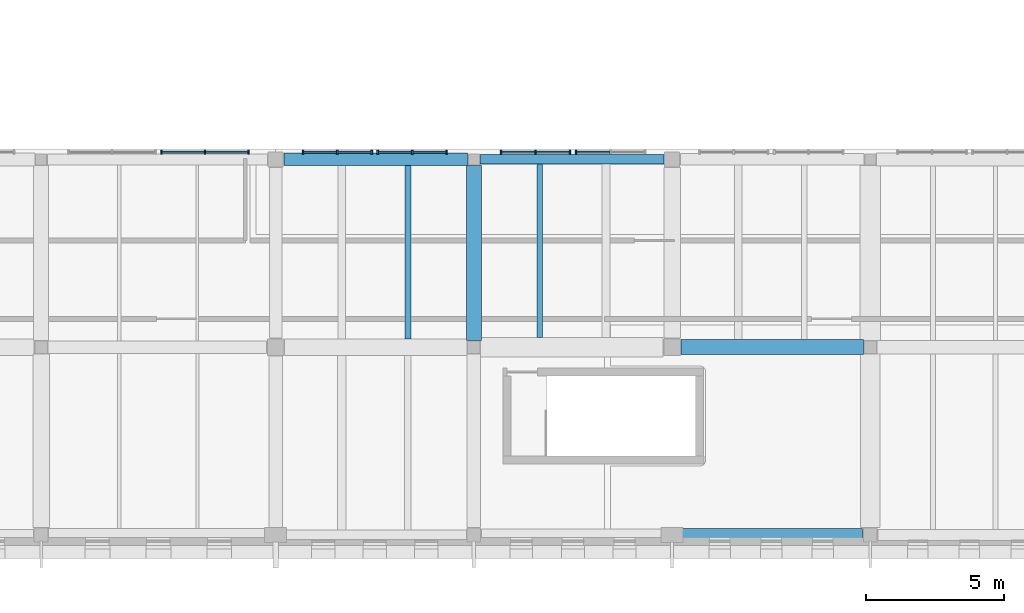
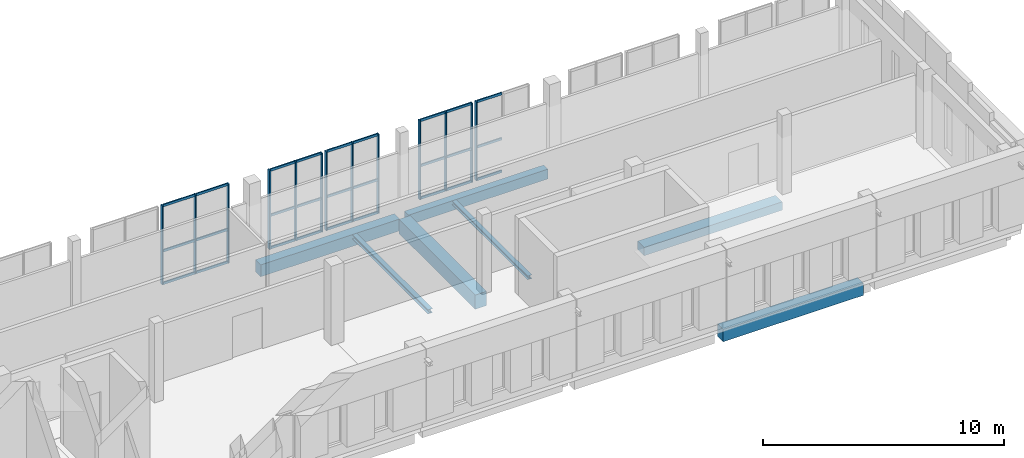
# One storey, part 21 of 56: 40 members, 7 beams, 5 elements without a shape of their own.
"""IFC4 building model written with IfcOpenShell, lengths in metres."""

import ifcopenshell
import ifcopenshell.guid

model = None  # the IFC model being written
_history = None  # IfcOwnerHistory: only IFC2X3 demands one
_inside = {}  # id of a spatial element -> (the spatial element, [elements in it])
_under = {}  # id of a project, library or spatial element -> (it, [spatial elements below it])
_declared = {}  # id of a project -> (the project, [libraries it declares])
_typed = {}  # id of a type object -> (the type object, [elements of that type])
_made_of = {}  # id of a material, layer set ... -> (it, [elements and type objects made of it])


def new_model(schema):
    """Start an empty IFC model of exactly this schema.

    Asked for "IFC4X3", IfcOpenShell would pick the latest addendum, in which some entities
    have other attributes; the version numbers below select the first issue.
    IFC2X3 requires an IfcOwnerHistory on every rooted entity: one is made here for all.
    """
    global model, _history
    if schema == "IFC4X3":
        model = ifcopenshell.file(schema_version=(4, 3, 0, 0))
    else:
        model = ifcopenshell.file(schema=schema)
    _inside.clear()
    _under.clear()
    _declared.clear()
    _typed.clear()
    _made_of.clear()
    _history = None
    if model.schema == "IFC2X3":
        org = make("IfcOrganization", Name="unknown")
        user = make(
            "IfcPersonAndOrganization",
            ThePerson=make("IfcPerson", FamilyName="unknown"),
            TheOrganization=org,
        )
        app = make(
            "IfcApplication",
            ApplicationDeveloper=org,
            Version="unknown",
            ApplicationFullName="unknown",
            ApplicationIdentifier="unknown",
        )
        _history = make(
            "IfcOwnerHistory",
            OwningUser=user,
            OwningApplication=app,
            ChangeAction="ADDED",
            CreationDate=0,
        )
    return model


def make(cls, **values):
    """One entity of the class cls with the attributes given. An attribute that is None is left unset."""
    return model.create_entity(
        cls, **{name: value for name, value in values.items() if value is not None}
    )


def rooted(cls, **values):
    """An entity with a GlobalId (a new one), such as an element, a storey or a relation."""
    return make(cls, GlobalId=ifcopenshell.guid.new(), OwnerHistory=_history, **values)


def si_unit(unit_type, name, prefix=None):
    """IfcSIUnit, for example si_unit("LENGTHUNIT", "METRE", prefix="MILLI")."""
    return make("IfcSIUnit", UnitType=unit_type, Prefix=prefix, Name=name)


def assignment(units):
    """IfcUnitAssignment: the units of a project."""
    return None if units is None else make("IfcUnitAssignment", Units=units)


def point(xyz):
    """IfcCartesianPoint."""
    return None if xyz is None else make("IfcCartesianPoint", Coordinates=xyz)


def direction(xyz):
    """IfcDirection."""
    return None if xyz is None else make("IfcDirection", DirectionRatios=xyz)


def frame(location, z_axis=None, x_axis=None):
    """IfcAxis2Placement3D, a coordinate frame: its origin and axes. An axis left out is left unset."""
    return make(
        "IfcAxis2Placement3D",
        Location=point(location),
        Axis=direction(z_axis),
        RefDirection=direction(x_axis),
    )


def frame_2d(location, x_axis=None):
    """IfcAxis2Placement2D, a coordinate frame in the plane: its origin and x axis."""
    return make(
        "IfcAxis2Placement2D", Location=point(location), RefDirection=direction(x_axis)
    )


def origin():
    """The frame at (0, 0, 0) with its axes left unset."""
    return frame((0.0, 0.0, 0.0))


def origin_2d():
    """The frame at (0, 0) in the plane with its x axis left unset."""
    return frame_2d((0.0, 0.0))


def place(relative_to, where):
    """IfcLocalPlacement: puts the frame where relative to a parent placement (None: the world)."""
    return make(
        "IfcLocalPlacement", PlacementRelTo=relative_to, RelativePlacement=where
    )


def context(
    kind, dimensions, precision=None, world=None, true_north=None, identifier=None
):
    """IfcGeometricRepresentationContext, for example the 3D "Model" context."""
    return make(
        "IfcGeometricRepresentationContext",
        ContextIdentifier=identifier,
        ContextType=kind,
        CoordinateSpaceDimension=dimensions,
        Precision=precision,
        WorldCoordinateSystem=world,
        TrueNorth=true_north,
    )


def subcontext(parent, identifier, kind, view, scale=None):
    """IfcGeometricRepresentationSubContext, for example "Body" below "Model"."""
    return make(
        "IfcGeometricRepresentationSubContext",
        ContextIdentifier=identifier,
        ContextType=kind,
        ParentContext=parent,
        TargetScale=scale,
        TargetView=view,
    )


def project(units=None, contexts=None):
    """IfcProject with its units and contexts."""
    return rooted(
        "IfcProject",
        Name="project",
        RepresentationContexts=contexts,
        UnitsInContext=assignment(units),
    )


def spatial(cls, under=None, at=None, **own):
    """A site, building, storey or space (cls), placed at a placement, below another one or the project."""
    s = rooted(cls, ObjectPlacement=at, **own)
    if under is not None:
        _under.setdefault(under.id(), (under, []))[1].append(s)
    return s


def profile(cls, at=None, kind="AREA", **sizes):
    """A parametric profile (cls). Its sizes go by their IFC names, for example OverallWidth=200.0."""
    return make(cls, ProfileType=kind, Position=at, **sizes)


def rectangle(**sizes):
    """IfcRectangleProfileDef."""
    return profile("IfcRectangleProfileDef", **sizes)


def i_section(**sizes):
    """IfcIShapeProfileDef."""
    return profile("IfcIShapeProfileDef", **sizes)


def extrude(swept, where, along, depth):
    """IfcExtrudedAreaSolid: the profile swept, set in the frame where, extruded along a direction by depth."""
    return make(
        "IfcExtrudedAreaSolid",
        SweptArea=swept,
        Position=where,
        ExtrudedDirection=direction(along),
        Depth=depth,
    )


def shape(context_of_items, identifier, shape_type, items):
    """IfcShapeRepresentation: the items that make up one representation, for example the "Body"."""
    return make(
        "IfcShapeRepresentation",
        ContextOfItems=context_of_items,
        RepresentationIdentifier=identifier,
        RepresentationType=shape_type,
        Items=items,
    )


def material(Name=None, Category=None):
    """IfcMaterial."""
    return make("IfcMaterial", Name=Name, Category=Category)


def layer(
    of_material, thickness, ventilated=None, Name=None, Category=None, Priority=None
):
    """IfcMaterialLayer: one layer of a wall or slab, of a material (None: an air gap)."""
    return make(
        "IfcMaterialLayer",
        Material=of_material,
        LayerThickness=thickness,
        IsVentilated=ventilated,
        Name=Name,
        Category=Category,
        Priority=Priority,
    )


def layer_set(layers, Name=None):
    """IfcMaterialLayerSet."""
    return make("IfcMaterialLayerSet", MaterialLayers=layers, LayerSetName=Name)


def material_profile(
    of_material, cross_section, Name=None, Category=None, Priority=None
):
    """IfcMaterialProfile: a cross section and its material."""
    return make(
        "IfcMaterialProfile",
        Name=Name,
        Material=of_material,
        Profile=cross_section,
        Priority=Priority,
        Category=Category,
    )


def profile_set(profiles, Name=None, composite=None):
    """IfcMaterialProfileSet."""
    return make(
        "IfcMaterialProfileSet",
        Name=Name,
        MaterialProfiles=profiles,
        CompositeProfile=composite,
    )


def made_of(thing, what):
    """Note that an element or type object is made of a material, layer set ...; save() writes the relation."""
    if what is not None:
        _made_of.setdefault(what.id(), (what, []))[1].append(thing)
    return thing


def type_object(cls, material=None, **own):
    """A type object (cls), such as IfcWallType, which elements share."""
    return made_of(rooted(cls, **own), material)


def element(
    cls,
    number,
    at=None,
    inside=None,
    cuts=None,
    type_object=None,
    material=None,
    context=None,
    identifier="Body",
    shape_type=None,
    held_by="IfcProductDefinitionShape",
    body=None,
    shapes=None,
    **own,
):
    """One element of the class cls, such as IfcWall. Its Tag is "e" and its number.

    at: its placement. inside: the storey or other place that contains it. cuts: it is an
    opening in that element (IfcRelVoidsElement). A single representation is given by context,
    identifier, shape_type and body (its items); several are given by shapes. held_by: the class
    of the entity that holds the representations. save() writes the other relations.
    """
    e = rooted(cls, Tag="e%d" % number, ObjectPlacement=at, **own)
    if body is not None:
        shapes = [shape(context, identifier, shape_type, body)]
    if shapes is not None:
        e.Representation = make(held_by, Representations=shapes)
    if inside is not None:
        _inside.setdefault(inside.id(), (inside, []))[1].append(e)
    if cuts is not None:
        rooted(
            "IfcRelVoidsElement", RelatingBuildingElement=cuts, RelatedOpeningElement=e
        )
    if type_object is not None:
        _typed.setdefault(type_object.id(), (type_object, []))[1].append(e)
    return made_of(e, material)


def aggregate(whole, parts):
    """IfcRelAggregates: a whole, such as a stair, and the parts it consists of."""
    return rooted("IfcRelAggregates", RelatingObject=whole, RelatedObjects=parts)


def save(model, path):
    """Write the relations noted so far, then the file.

    IfcRelAggregates (storeys below a building ...), IfcRelContainedInSpatialStructure (elements
    in a storey), IfcRelDefinesByType, IfcRelAssociatesMaterial and IfcRelDeclares: one each for
    every whole, place, type object, material and project.
    """
    for whole, parts in _under.values():
        aggregate(whole, parts)
    for where, things in _inside.values():
        rooted(
            "IfcRelContainedInSpatialStructure",
            RelatedElements=things,
            RelatingStructure=where,
        )
    for kind, things in _typed.values():
        rooted("IfcRelDefinesByType", RelatedObjects=things, RelatingType=kind)
    for what, things in _made_of.values():
        rooted("IfcRelAssociatesMaterial", RelatedObjects=things, RelatingMaterial=what)
    for by, libraries in _declared.values():
        rooted("IfcRelDeclares", RelatingContext=by, RelatedDefinitions=libraries)
    model.write(path)


model = new_model("IFC4")

# Units and contexts
model_context = context("Model", 3, precision=1e-05, world=origin(), true_north=direction((0.0, 1.0)))
body_context = subcontext(model_context, "Body", "Model", "MODEL_VIEW")
ifc_project = project(units=[si_unit("LENGTHUNIT", "METRE"), si_unit("AREAUNIT", "SQUARE_METRE"), si_unit("VOLUMEUNIT", "CUBIC_METRE"), si_unit("PLANEANGLEUNIT", "RADIAN"), si_unit("MASSUNIT", "GRAM", prefix="KILO")], contexts=[model_context])

# Site, building, storey
site_placement = place(None, origin())
site = spatial("IfcSite", under=ifc_project, at=site_placement, CompositionType="ELEMENT")
building_placement = place(site_placement, origin())
building = spatial("IfcBuilding", under=site, at=building_placement, Name="Vardoun Plaza Health Centre", CompositionType="ELEMENT")
storey_placement = place(building_placement, frame((0.0, 0.0, 8.699951171875)))
storey = spatial("IfcBuildingStorey", under=building, at=storey_placement, Name="L02", CompositionType="ELEMENT", Elevation=8.699951171875)

# Beams
ifc_material_1 = material(Name="Concrete C35/45", Category="concrete")
ifc_material_profile_1 = material_profile(ifc_material_1, rectangle(XDim=0.35009765625, YDim=0.5, at=origin_2d()), Name="RC-BM 350x500")
ifc_profile_set_1 = profile_set([ifc_material_profile_1], Name="Concrete C35/45")
beam_type_1 = type_object("IfcBeamType", Name="B-08", PredefinedType="SPANDREL", material=ifc_profile_set_1)
beam_1_placement = place(storey_placement, frame((143.925048828125, 18.52001953125, -0.544921875), z_axis=(1.0, 0.0, 0.0), x_axis=(0.0, 1.0, 0.0)))
element("IfcBeam", 1, at=beam_1_placement, inside=storey, type_object=beam_type_1, Name="V5 L02 Beam B-V5-L02-X18", PredefinedType="SPANDREL", context=body_context, shape_type="SweptSolid", body=[
    extrude(rectangle(XDim=0.35009765625, YDim=0.5, at=origin_2d()), origin(), (0.0, 0.0, 1.0), 6.675048828125),
])
ifc_material_2 = material(Name="Concrete C35/45", Category="concrete")
ifc_material_profile_2 = material_profile(ifc_material_2, rectangle(XDim=0.449951171875, YDim=0.60009765625, at=origin_2d()), Name="RC-BM 450x600")
ifc_profile_set_2 = profile_set([ifc_material_profile_2], Name="Concrete C35/45")
beam_type_2 = type_object("IfcBeamType", Name="B-11", PredefinedType="SPANDREL", material=ifc_profile_set_2)
beam_2_placement = place(storey_placement, frame((136.800048828125, 18.52001953125, -0.594970703125), z_axis=(1.0, 0.0, 0.0), x_axis=(0.0, 1.0, 0.0)))
element("IfcBeam", 2, at=beam_2_placement, inside=storey, type_object=beam_type_2, Name="V5 L02 Beam B-V5-L02-X15", PredefinedType="SPANDREL", context=body_context, shape_type="SweptSolid", body=[
    extrude(rectangle(XDim=0.449951171875, YDim=0.60009765625, at=origin_2d()), origin(), (0.0, 0.0, 1.0), 6.675048828125),
])
ifc_material_3 = material(Name="Concrete C35/45", Category="concrete")
ifc_material_profile_3 = material_profile(ifc_material_3, rectangle(XDim=0.47998046875, YDim=0.6201171875, at=origin_2d()), Name="RC-BM 480x620")
ifc_profile_set_3 = profile_set([ifc_material_profile_3], Name="Concrete C35/45")
beam_type_3 = type_object("IfcBeamType", Name="B-12", PredefinedType="SPANDREL", material=ifc_profile_set_3)
beam_3_placement = place(storey_placement, frame((151.10009765625, 4.8798828125, -0.60498046875), z_axis=(1.0, 0.0, 0.0), x_axis=(0.0, 1.0, 0.0)))
element("IfcBeam", 3, at=beam_3_placement, inside=storey, type_object=beam_type_3, Name="V5 L02 Beam B-V5-L02-X19", PredefinedType="SPANDREL", context=body_context, shape_type="SweptSolid", body=[
    extrude(rectangle(XDim=0.47998046875, YDim=0.6201171875, at=origin_2d()), origin(), (0.0, 0.0, 1.0), 6.724853515625),
])
ifc_material_4 = material(Name="Concrete C35/45", Category="concrete")
ifc_material_profile_4 = material_profile(ifc_material_4, rectangle(XDim=0.550048828125, YDim=0.419921875, at=origin_2d()), Name="RC-BM 550x420")
ifc_profile_set_4 = profile_set([ifc_material_profile_4], Name="Concrete C35/45")
beam_type_4 = type_object("IfcBeamType", Name="B-03", PredefinedType="BEAM", material=ifc_profile_set_4)
beam_4_placement = place(storey_placement, frame((151.22509765625, 11.699951171875, -0.5048828125), z_axis=(1.0, 0.0, 0.0), x_axis=(0.0, 1.0, 0.0)))
element("IfcBeam", 4, at=beam_4_placement, inside=storey, type_object=beam_type_4, Name="V5 L02 Beam B-V5-L02-X20", PredefinedType="BEAM", context=body_context, shape_type="SweptSolid", body=[
    extrude(rectangle(XDim=0.550048828125, YDim=0.419921875, at=origin_2d()), origin(), (0.0, 0.0, 1.0), 6.625),
])
ifc_material_5 = material(Name="Concrete C40/50", Category="concrete")
ifc_material_profile_5 = material_profile(ifc_material_5, rectangle(XDim=0.550048828125, YDim=0.719970703125, at=origin_2d()), Name="RC-BM 550x720")
ifc_profile_set_5 = profile_set([ifc_material_profile_5], Name="Concrete C40/50")
beam_type_5 = type_object("IfcBeamType", Name="B-14", PredefinedType="BEAM", material=ifc_profile_set_5)
beam_5_placement = place(storey_placement, frame((143.699951171875, 11.949951171875, -0.655029296875), z_axis=(0.0, 1.0, 0.0), x_axis=(-1.0, 0.0, 0.0)))
element("IfcBeam", 5, at=beam_5_placement, inside=storey, type_object=beam_type_5, Name="V5 L02 Beam B-V5-L02-Y35", PredefinedType="BEAM", context=body_context, shape_type="SweptSolid", body=[
    extrude(rectangle(XDim=0.550048828125, YDim=0.719970703125, at=origin_2d()), origin(), (0.0, 0.0, 1.0), 6.344970703125),
])
ifc_material_6 = material(Name="Steel S355J2", Category="steel")
ifc_material_profile_6 = material_profile(ifc_material_6, i_section(OverallWidth=0.199951171875, OverallDepth=0.18994140625, WebThickness=0.006591796875, FlangeThickness=0.010009765625, FilletRadius=0.01806640625, at=origin_2d()), Name="HEA 200")
ifc_profile_set_6 = profile_set([ifc_material_profile_6], Name="Steel S355J2")
beam_type_6 = type_object("IfcBeamType", Name="SB-09", PredefinedType="BEAM", material=ifc_profile_set_6)
beam_6_placement = place(storey_placement, frame((146.099853515625, 12.050048828125, -0.389892578125), z_axis=(0.0, 1.0, 0.0), x_axis=(-1.0, 0.0, 0.0)))
element("IfcBeam", 6, at=beam_6_placement, inside=storey, type_object=beam_type_6, Name="V5 L02 Secondary Floor Beam SJ-V5-L02-17", PredefinedType="BEAM", context=body_context, shape_type="SweptSolid", body=[
    extrude(i_section(OverallWidth=0.199951171875, OverallDepth=0.18994140625, WebThickness=0.006591796875, FlangeThickness=0.010009765625, FilletRadius=0.01806640625, at=origin_2d()), origin(), (0.0, 0.0, 1.0), 6.294921875),
])
ifc_material_7 = material(Name="Steel S355J2", Category="steel")
ifc_material_profile_7 = material_profile(ifc_material_7, i_section(OverallWidth=0.219970703125, OverallDepth=0.2099609375, WebThickness=0.007080078125, FlangeThickness=0.010986328125, FilletRadius=0.01806640625, at=origin_2d()), Name="HEA 220")
ifc_profile_set_7 = profile_set([ifc_material_profile_7], Name="Steel S355J2")
beam_type_7 = type_object("IfcBeamType", Name="SB-08", PredefinedType="BEAM", material=ifc_profile_set_7)
beam_7_placement = place(storey_placement, frame((141.30029296875, 12.0, -0.39990234375), z_axis=(0.0, 1.0, 0.0), x_axis=(-1.0, 0.0, 0.0)))
element("IfcBeam", 7, at=beam_7_placement, inside=storey, type_object=beam_type_7, Name="V5 L02 Secondary Floor Beam SJ-V5-L02-16", PredefinedType="BEAM", context=body_context, shape_type="SweptSolid", body=[
    extrude(i_section(OverallWidth=0.219970703125, OverallDepth=0.2099609375, WebThickness=0.007080078125, FlangeThickness=0.010986328125, FilletRadius=0.01806640625, at=origin_2d()), origin(), (0.0, 0.0, 1.0), 6.294921875),
])

# Curtain wall, members
ifc_material_8 = material(Name="Aluminium Alloy EN AW-6063-T6 and Low-E Glass", Category="aluminium")
ifc_layer = layer(ifc_material_8, 0.14990234375)
ifc_layer_set = layer_set([ifc_layer], Name="Aluminium Alloy EN AW-6063-T6 and Low-E Glass")
curtain_wall_type = type_object("IfcCurtainWallType", Name="CW-03", PredefinedType="NOTDEFINED", material=ifc_layer_set)
curtain_wall_1_placement = place(storey_placement, origin())
curtain_wall_1 = element("IfcCurtainWall", 8, at=curtain_wall_1_placement, inside=storey, type_object=curtain_wall_type, Name="Curtain Wall CW-V5-172", PredefinedType="NOTDEFINED")
ifc_material_9 = material(Name="Aluminium Alloy EN AW-6063-T6", Category="aluminium")
ifc_material_profile_8 = material_profile(ifc_material_9, rectangle(XDim=0.159912109375, YDim=0.06005859375, at=origin_2d()), Name="CWM 60x160")
ifc_profile_set_8 = profile_set([ifc_material_profile_8], Name="Aluminium Alloy EN AW-6063-T6")
member_type_1 = type_object("IfcMemberType", Name="CW-M1", PredefinedType="MULLION", material=ifc_profile_set_8)
member_1_placement = place(storey_placement, frame((132.35009765625, 18.780029296875, 0.0), z_axis=(0.0, 0.0, 1.0), x_axis=(0.0, 1.0, 0.0)))
member_1 = element("IfcMember", 9, at=member_1_placement, type_object=member_type_1, Name="CW-V5-172 mullion 1", PredefinedType="MULLION", context=body_context, shape_type="SweptSolid", body=[
    extrude(rectangle(XDim=0.159912109375, YDim=0.06005859375, at=origin_2d()), origin(), (0.0, 0.0, 1.0), 4.005126953125),
])
member_2_placement = place(storey_placement, frame((133.929931640625, 18.780029296875, 0.0), z_axis=(0.0, 0.0, 1.0), x_axis=(0.0, 1.0, 0.0)))
member_2 = element("IfcMember", 10, at=member_2_placement, type_object=member_type_1, Name="CW-V5-172 mullion 2", PredefinedType="MULLION", context=body_context, shape_type="SweptSolid", body=[
    extrude(rectangle(XDim=0.159912109375, YDim=0.06005859375, at=origin_2d()), origin(), (0.0, 0.0, 1.0), 4.005126953125),
])
member_3_placement = place(storey_placement, frame((135.510009765625, 18.780029296875, 0.0), z_axis=(0.0, 0.0, 1.0), x_axis=(0.0, 1.0, 0.0)))
member_3 = element("IfcMember", 11, at=member_3_placement, type_object=member_type_1, Name="CW-V5-172 mullion 3", PredefinedType="MULLION", context=body_context, shape_type="SweptSolid", body=[
    extrude(rectangle(XDim=0.159912109375, YDim=0.06005859375, at=origin_2d()), origin(), (0.0, 0.0, 1.0), 4.005126953125),
])

curtain_wall_2_placement = place(storey_placement, origin())
curtain_wall_2 = element("IfcCurtainWall", 12, at=curtain_wall_2_placement, inside=storey, type_object=curtain_wall_type, Name="Curtain Wall CW-V5-173", PredefinedType="NOTDEFINED")
member_4_placement = place(storey_placement, frame((137.489990234375, 18.780029296875, 0.0), z_axis=(0.0, 0.0, 1.0), x_axis=(0.0, 1.0, 0.0)))
member_4 = element("IfcMember", 13, at=member_4_placement, type_object=member_type_1, Name="CW-V5-173 mullion 1", PredefinedType="MULLION", context=body_context, shape_type="SweptSolid", body=[
    extrude(rectangle(XDim=0.159912109375, YDim=0.06005859375, at=origin_2d()), origin(), (0.0, 0.0, 1.0), 4.005126953125),
])
member_5_placement = place(storey_placement, frame((138.739990234375, 18.780029296875, 0.0), z_axis=(0.0, 0.0, 1.0), x_axis=(0.0, 1.0, 0.0)))
member_5 = element("IfcMember", 14, at=member_5_placement, type_object=member_type_1, Name="CW-V5-173 mullion 2", PredefinedType="MULLION", context=body_context, shape_type="SweptSolid", body=[
    extrude(rectangle(XDim=0.159912109375, YDim=0.06005859375, at=origin_2d()), origin(), (0.0, 0.0, 1.0), 4.005126953125),
])
member_6_placement = place(storey_placement, frame((139.989990234375, 18.780029296875, 0.0), z_axis=(0.0, 0.0, 1.0), x_axis=(0.0, 1.0, 0.0)))
member_6 = element("IfcMember", 15, at=member_6_placement, type_object=member_type_1, Name="CW-V5-173 mullion 3", PredefinedType="MULLION", context=body_context, shape_type="SweptSolid", body=[
    extrude(rectangle(XDim=0.159912109375, YDim=0.06005859375, at=origin_2d()), origin(), (0.0, 0.0, 1.0), 4.005126953125),
])

curtain_wall_3_placement = place(storey_placement, origin())
curtain_wall_3 = element("IfcCurtainWall", 16, at=curtain_wall_3_placement, inside=storey, type_object=curtain_wall_type, Name="Curtain Wall CW-V5-174", PredefinedType="NOTDEFINED")
member_7_placement = place(storey_placement, frame((140.2099609375, 18.780029296875, 0.0), z_axis=(0.0, 0.0, 1.0), x_axis=(0.0, 1.0, 0.0)))
member_7 = element("IfcMember", 17, at=member_7_placement, type_object=member_type_1, Name="CW-V5-174 mullion 1", PredefinedType="MULLION", context=body_context, shape_type="SweptSolid", body=[
    extrude(rectangle(XDim=0.159912109375, YDim=0.06005859375, at=origin_2d()), origin(), (0.0, 0.0, 1.0), 4.005126953125),
])
member_8_placement = place(storey_placement, frame((141.4599609375, 18.780029296875, 0.0), z_axis=(0.0, 0.0, 1.0), x_axis=(0.0, 1.0, 0.0)))
member_8 = element("IfcMember", 18, at=member_8_placement, type_object=member_type_1, Name="CW-V5-174 mullion 2", PredefinedType="MULLION", context=body_context, shape_type="SweptSolid", body=[
    extrude(rectangle(XDim=0.159912109375, YDim=0.06005859375, at=origin_2d()), origin(), (0.0, 0.0, 1.0), 4.005126953125),
])
member_9_placement = place(storey_placement, frame((142.7099609375, 18.780029296875, 0.0), z_axis=(0.0, 0.0, 1.0), x_axis=(0.0, 1.0, 0.0)))
member_9 = element("IfcMember", 19, at=member_9_placement, type_object=member_type_1, Name="CW-V5-174 mullion 3", PredefinedType="MULLION", context=body_context, shape_type="SweptSolid", body=[
    extrude(rectangle(XDim=0.159912109375, YDim=0.06005859375, at=origin_2d()), origin(), (0.0, 0.0, 1.0), 4.005126953125),
])

curtain_wall_4_placement = place(storey_placement, origin())
curtain_wall_4 = element("IfcCurtainWall", 20, at=curtain_wall_4_placement, inside=storey, type_object=curtain_wall_type, Name="Curtain Wall CW-V5-175", PredefinedType="NOTDEFINED")
member_10_placement = place(storey_placement, frame((144.690185546875, 18.780029296875, 0.0), z_axis=(0.0, 0.0, 1.0), x_axis=(0.0, 1.0, 0.0)))
member_10 = element("IfcMember", 21, at=member_10_placement, type_object=member_type_1, Name="CW-V5-175 mullion 1", PredefinedType="MULLION", context=body_context, shape_type="SweptSolid", body=[
    extrude(rectangle(XDim=0.159912109375, YDim=0.06005859375, at=origin_2d()), origin(), (0.0, 0.0, 1.0), 4.005126953125),
])
member_11_placement = place(storey_placement, frame((145.940185546875, 18.780029296875, 0.0), z_axis=(0.0, 0.0, 1.0), x_axis=(0.0, 1.0, 0.0)))
member_11 = element("IfcMember", 22, at=member_11_placement, type_object=member_type_1, Name="CW-V5-175 mullion 2", PredefinedType="MULLION", context=body_context, shape_type="SweptSolid", body=[
    extrude(rectangle(XDim=0.159912109375, YDim=0.06005859375, at=origin_2d()), origin(), (0.0, 0.0, 1.0), 4.005126953125),
])
member_12_placement = place(storey_placement, frame((147.190185546875, 18.780029296875, 0.0), z_axis=(0.0, 0.0, 1.0), x_axis=(0.0, 1.0, 0.0)))
member_12 = element("IfcMember", 23, at=member_12_placement, type_object=member_type_1, Name="CW-V5-175 mullion 3", PredefinedType="MULLION", context=body_context, shape_type="SweptSolid", body=[
    extrude(rectangle(XDim=0.159912109375, YDim=0.06005859375, at=origin_2d()), origin(), (0.0, 0.0, 1.0), 4.005126953125),
])

# Curtain wall, member
curtain_wall_5_placement = place(storey_placement, origin())
curtain_wall_5 = element("IfcCurtainWall", 24, at=curtain_wall_5_placement, inside=storey, type_object=curtain_wall_type, Name="Curtain Wall CW-V5-176", PredefinedType="NOTDEFINED")
member_13_placement = place(storey_placement, frame((147.409912109375, 18.780029296875, 0.0), z_axis=(0.0, 0.0, 1.0), x_axis=(0.0, 1.0, 0.0)))
member_13 = element("IfcMember", 25, at=member_13_placement, type_object=member_type_1, Name="CW-V5-176 mullion 1", PredefinedType="MULLION", context=body_context, shape_type="SweptSolid", body=[
    extrude(rectangle(XDim=0.159912109375, YDim=0.06005859375, at=origin_2d()), origin(), (0.0, 0.0, 1.0), 4.005126953125),
])

# Member
ifc_material_10 = material(Name="Aluminium Alloy EN AW-6063-T6", Category="aluminium")
ifc_material_profile_9 = material_profile(ifc_material_10, rectangle(XDim=0.06005859375, YDim=0.1201171875, at=origin_2d()), Name="CWT 60x120")
ifc_profile_set_9 = profile_set([ifc_material_profile_9], Name="Aluminium Alloy EN AW-6063-T6")
member_type_2 = type_object("IfcMemberType", Name="CW-T1", PredefinedType="USERDEFINED", material=ifc_profile_set_9)
member_14_placement = place(storey_placement, frame((132.3798828125, 18.780029296875, 0.030029296875), z_axis=(1.0, 0.0, 0.0), x_axis=(0.0, 1.0, 0.0)))
member_14 = element("IfcMember", 26, at=member_14_placement, type_object=member_type_2, Name="CW-V5-172 transom 1.1", ObjectType="TRANSOM", PredefinedType="USERDEFINED", context=body_context, shape_type="SweptSolid", body=[
    extrude(rectangle(XDim=0.06005859375, YDim=0.1201171875, at=origin_2d()), origin(), (0.0, 0.0, 1.0), 1.52001953125),
])

member_15_placement = place(storey_placement, frame((132.3798828125, 18.780029296875, 1.68212890625), z_axis=(1.0, 0.0, 0.0), x_axis=(0.0, 1.0, 0.0)))
member_15 = element("IfcMember", 27, at=member_15_placement, type_object=member_type_2, Name="CW-V5-172 transom 1.2", ObjectType="TRANSOM", PredefinedType="USERDEFINED", context=body_context, shape_type="SweptSolid", body=[
    extrude(rectangle(XDim=0.06005859375, YDim=0.1201171875, at=origin_2d()), origin(), (0.0, 0.0, 1.0), 1.52001953125),
])

member_16_placement = place(storey_placement, frame((132.3798828125, 18.780029296875, 3.97509765625), z_axis=(1.0, 0.0, 0.0), x_axis=(0.0, 1.0, 0.0)))
member_16 = element("IfcMember", 28, at=member_16_placement, type_object=member_type_2, Name="CW-V5-172 transom 1.3", ObjectType="TRANSOM", PredefinedType="USERDEFINED", context=body_context, shape_type="SweptSolid", body=[
    extrude(rectangle(XDim=0.06005859375, YDim=0.1201171875, at=origin_2d()), origin(), (0.0, 0.0, 1.0), 1.52001953125),
])

member_17_placement = place(storey_placement, frame((133.9599609375, 18.780029296875, 0.030029296875), z_axis=(1.0, 0.0, 0.0), x_axis=(0.0, 1.0, 0.0)))
member_17 = element("IfcMember", 29, at=member_17_placement, type_object=member_type_2, Name="CW-V5-172 transom 2.1", ObjectType="TRANSOM", PredefinedType="USERDEFINED", context=body_context, shape_type="SweptSolid", body=[
    extrude(rectangle(XDim=0.06005859375, YDim=0.1201171875, at=origin_2d()), origin(), (0.0, 0.0, 1.0), 1.52001953125),
])

member_18_placement = place(storey_placement, frame((133.9599609375, 18.780029296875, 1.68212890625), z_axis=(1.0, 0.0, 0.0), x_axis=(0.0, 1.0, 0.0)))
member_18 = element("IfcMember", 30, at=member_18_placement, type_object=member_type_2, Name="CW-V5-172 transom 2.2", ObjectType="TRANSOM", PredefinedType="USERDEFINED", context=body_context, shape_type="SweptSolid", body=[
    extrude(rectangle(XDim=0.06005859375, YDim=0.1201171875, at=origin_2d()), origin(), (0.0, 0.0, 1.0), 1.52001953125),
])

member_19_placement = place(storey_placement, frame((133.9599609375, 18.780029296875, 3.97509765625), z_axis=(1.0, 0.0, 0.0), x_axis=(0.0, 1.0, 0.0)))
member_19 = element("IfcMember", 31, at=member_19_placement, type_object=member_type_2, Name="CW-V5-172 transom 2.3", ObjectType="TRANSOM", PredefinedType="USERDEFINED", context=body_context, shape_type="SweptSolid", body=[
    extrude(rectangle(XDim=0.06005859375, YDim=0.1201171875, at=origin_2d()), origin(), (0.0, 0.0, 1.0), 1.52001953125),
])

aggregate(curtain_wall_1, [member_1, member_2, member_3, member_14, member_15, member_16, member_17, member_18, member_19])

member_20_placement = place(storey_placement, frame((137.52001953125, 18.780029296875, 0.030029296875), z_axis=(1.0, 0.0, 0.0), x_axis=(0.0, 1.0, 0.0)))
member_20 = element("IfcMember", 32, at=member_20_placement, type_object=member_type_2, Name="CW-V5-173 transom 1.1", ObjectType="TRANSOM", PredefinedType="USERDEFINED", context=body_context, shape_type="SweptSolid", body=[
    extrude(rectangle(XDim=0.06005859375, YDim=0.1201171875, at=origin_2d()), origin(), (0.0, 0.0, 1.0), 1.18994140625),
])

member_21_placement = place(storey_placement, frame((137.52001953125, 18.780029296875, 1.68212890625), z_axis=(1.0, 0.0, 0.0), x_axis=(0.0, 1.0, 0.0)))
member_21 = element("IfcMember", 33, at=member_21_placement, type_object=member_type_2, Name="CW-V5-173 transom 1.2", ObjectType="TRANSOM", PredefinedType="USERDEFINED", context=body_context, shape_type="SweptSolid", body=[
    extrude(rectangle(XDim=0.06005859375, YDim=0.1201171875, at=origin_2d()), origin(), (0.0, 0.0, 1.0), 1.18994140625),
])

member_22_placement = place(storey_placement, frame((137.52001953125, 18.780029296875, 3.97509765625), z_axis=(1.0, 0.0, 0.0), x_axis=(0.0, 1.0, 0.0)))
member_22 = element("IfcMember", 34, at=member_22_placement, type_object=member_type_2, Name="CW-V5-173 transom 1.3", ObjectType="TRANSOM", PredefinedType="USERDEFINED", context=body_context, shape_type="SweptSolid", body=[
    extrude(rectangle(XDim=0.06005859375, YDim=0.1201171875, at=origin_2d()), origin(), (0.0, 0.0, 1.0), 1.18994140625),
])

member_23_placement = place(storey_placement, frame((138.77001953125, 18.780029296875, 0.030029296875), z_axis=(1.0, 0.0, 0.0), x_axis=(0.0, 1.0, 0.0)))
member_23 = element("IfcMember", 35, at=member_23_placement, type_object=member_type_2, Name="CW-V5-173 transom 2.1", ObjectType="TRANSOM", PredefinedType="USERDEFINED", context=body_context, shape_type="SweptSolid", body=[
    extrude(rectangle(XDim=0.06005859375, YDim=0.1201171875, at=origin_2d()), origin(), (0.0, 0.0, 1.0), 1.18994140625),
])

member_24_placement = place(storey_placement, frame((138.77001953125, 18.780029296875, 1.68212890625), z_axis=(1.0, 0.0, 0.0), x_axis=(0.0, 1.0, 0.0)))
member_24 = element("IfcMember", 36, at=member_24_placement, type_object=member_type_2, Name="CW-V5-173 transom 2.2", ObjectType="TRANSOM", PredefinedType="USERDEFINED", context=body_context, shape_type="SweptSolid", body=[
    extrude(rectangle(XDim=0.06005859375, YDim=0.1201171875, at=origin_2d()), origin(), (0.0, 0.0, 1.0), 1.18994140625),
])

member_25_placement = place(storey_placement, frame((138.77001953125, 18.780029296875, 3.97509765625), z_axis=(1.0, 0.0, 0.0), x_axis=(0.0, 1.0, 0.0)))
member_25 = element("IfcMember", 37, at=member_25_placement, type_object=member_type_2, Name="CW-V5-173 transom 2.3", ObjectType="TRANSOM", PredefinedType="USERDEFINED", context=body_context, shape_type="SweptSolid", body=[
    extrude(rectangle(XDim=0.06005859375, YDim=0.1201171875, at=origin_2d()), origin(), (0.0, 0.0, 1.0), 1.18994140625),
])

aggregate(curtain_wall_2, [member_4, member_5, member_6, member_20, member_21, member_22, member_23, member_24, member_25])

member_26_placement = place(storey_placement, frame((140.239990234375, 18.780029296875, 0.030029296875), z_axis=(1.0, 0.0, 0.0), x_axis=(0.0, 1.0, 0.0)))
member_26 = element("IfcMember", 38, at=member_26_placement, type_object=member_type_2, Name="CW-V5-174 transom 1.1", ObjectType="TRANSOM", PredefinedType="USERDEFINED", context=body_context, shape_type="SweptSolid", body=[
    extrude(rectangle(XDim=0.06005859375, YDim=0.1201171875, at=origin_2d()), origin(), (0.0, 0.0, 1.0), 1.18994140625),
])

member_27_placement = place(storey_placement, frame((140.239990234375, 18.780029296875, 1.68212890625), z_axis=(1.0, 0.0, 0.0), x_axis=(0.0, 1.0, 0.0)))
member_27 = element("IfcMember", 39, at=member_27_placement, type_object=member_type_2, Name="CW-V5-174 transom 1.2", ObjectType="TRANSOM", PredefinedType="USERDEFINED", context=body_context, shape_type="SweptSolid", body=[
    extrude(rectangle(XDim=0.06005859375, YDim=0.1201171875, at=origin_2d()), origin(), (0.0, 0.0, 1.0), 1.18994140625),
])

member_28_placement = place(storey_placement, frame((140.239990234375, 18.780029296875, 3.97509765625), z_axis=(1.0, 0.0, 0.0), x_axis=(0.0, 1.0, 0.0)))
member_28 = element("IfcMember", 40, at=member_28_placement, type_object=member_type_2, Name="CW-V5-174 transom 1.3", ObjectType="TRANSOM", PredefinedType="USERDEFINED", context=body_context, shape_type="SweptSolid", body=[
    extrude(rectangle(XDim=0.06005859375, YDim=0.1201171875, at=origin_2d()), origin(), (0.0, 0.0, 1.0), 1.18994140625),
])

member_29_placement = place(storey_placement, frame((141.489990234375, 18.780029296875, 0.030029296875), z_axis=(1.0, 0.0, 0.0), x_axis=(0.0, 1.0, 0.0)))
member_29 = element("IfcMember", 41, at=member_29_placement, type_object=member_type_2, Name="CW-V5-174 transom 2.1", ObjectType="TRANSOM", PredefinedType="USERDEFINED", context=body_context, shape_type="SweptSolid", body=[
    extrude(rectangle(XDim=0.06005859375, YDim=0.1201171875, at=origin_2d()), origin(), (0.0, 0.0, 1.0), 1.18994140625),
])

member_30_placement = place(storey_placement, frame((141.489990234375, 18.780029296875, 1.68212890625), z_axis=(1.0, 0.0, 0.0), x_axis=(0.0, 1.0, 0.0)))
member_30 = element("IfcMember", 42, at=member_30_placement, type_object=member_type_2, Name="CW-V5-174 transom 2.2", ObjectType="TRANSOM", PredefinedType="USERDEFINED", context=body_context, shape_type="SweptSolid", body=[
    extrude(rectangle(XDim=0.06005859375, YDim=0.1201171875, at=origin_2d()), origin(), (0.0, 0.0, 1.0), 1.18994140625),
])

member_31_placement = place(storey_placement, frame((141.489990234375, 18.780029296875, 3.97509765625), z_axis=(1.0, 0.0, 0.0), x_axis=(0.0, 1.0, 0.0)))
member_31 = element("IfcMember", 43, at=member_31_placement, type_object=member_type_2, Name="CW-V5-174 transom 2.3", ObjectType="TRANSOM", PredefinedType="USERDEFINED", context=body_context, shape_type="SweptSolid", body=[
    extrude(rectangle(XDim=0.06005859375, YDim=0.1201171875, at=origin_2d()), origin(), (0.0, 0.0, 1.0), 1.18994140625),
])

aggregate(curtain_wall_3, [member_7, member_8, member_9, member_26, member_27, member_28, member_29, member_30, member_31])

member_32_placement = place(storey_placement, frame((144.719970703125, 18.780029296875, 0.030029296875), z_axis=(1.0, 0.0, 0.0), x_axis=(0.0, 1.0, 0.0)))
member_32 = element("IfcMember", 44, at=member_32_placement, type_object=member_type_2, Name="CW-V5-175 transom 1.1", ObjectType="TRANSOM", PredefinedType="USERDEFINED", context=body_context, shape_type="SweptSolid", body=[
    extrude(rectangle(XDim=0.06005859375, YDim=0.1201171875, at=origin_2d()), origin(), (0.0, 0.0, 1.0), 1.18994140625),
])

member_33_placement = place(storey_placement, frame((144.719970703125, 18.780029296875, 1.68212890625), z_axis=(1.0, 0.0, 0.0), x_axis=(0.0, 1.0, 0.0)))
member_33 = element("IfcMember", 45, at=member_33_placement, type_object=member_type_2, Name="CW-V5-175 transom 1.2", ObjectType="TRANSOM", PredefinedType="USERDEFINED", context=body_context, shape_type="SweptSolid", body=[
    extrude(rectangle(XDim=0.06005859375, YDim=0.1201171875, at=origin_2d()), origin(), (0.0, 0.0, 1.0), 1.18994140625),
])

member_34_placement = place(storey_placement, frame((144.719970703125, 18.780029296875, 3.97509765625), z_axis=(1.0, 0.0, 0.0), x_axis=(0.0, 1.0, 0.0)))
member_34 = element("IfcMember", 46, at=member_34_placement, type_object=member_type_2, Name="CW-V5-175 transom 1.3", ObjectType="TRANSOM", PredefinedType="USERDEFINED", context=body_context, shape_type="SweptSolid", body=[
    extrude(rectangle(XDim=0.06005859375, YDim=0.1201171875, at=origin_2d()), origin(), (0.0, 0.0, 1.0), 1.18994140625),
])

member_35_placement = place(storey_placement, frame((145.969970703125, 18.780029296875, 0.030029296875), z_axis=(1.0, 0.0, 0.0), x_axis=(0.0, 1.0, 0.0)))
member_35 = element("IfcMember", 47, at=member_35_placement, type_object=member_type_2, Name="CW-V5-175 transom 2.1", ObjectType="TRANSOM", PredefinedType="USERDEFINED", context=body_context, shape_type="SweptSolid", body=[
    extrude(rectangle(XDim=0.06005859375, YDim=0.1201171875, at=origin_2d()), origin(), (0.0, 0.0, 1.0), 1.18994140625),
])

member_36_placement = place(storey_placement, frame((145.969970703125, 18.780029296875, 1.68212890625), z_axis=(1.0, 0.0, 0.0), x_axis=(0.0, 1.0, 0.0)))
member_36 = element("IfcMember", 48, at=member_36_placement, type_object=member_type_2, Name="CW-V5-175 transom 2.2", ObjectType="TRANSOM", PredefinedType="USERDEFINED", context=body_context, shape_type="SweptSolid", body=[
    extrude(rectangle(XDim=0.06005859375, YDim=0.1201171875, at=origin_2d()), origin(), (0.0, 0.0, 1.0), 1.18994140625),
])

member_37_placement = place(storey_placement, frame((145.969970703125, 18.780029296875, 3.97509765625), z_axis=(1.0, 0.0, 0.0), x_axis=(0.0, 1.0, 0.0)))
member_37 = element("IfcMember", 49, at=member_37_placement, type_object=member_type_2, Name="CW-V5-175 transom 2.3", ObjectType="TRANSOM", PredefinedType="USERDEFINED", context=body_context, shape_type="SweptSolid", body=[
    extrude(rectangle(XDim=0.06005859375, YDim=0.1201171875, at=origin_2d()), origin(), (0.0, 0.0, 1.0), 1.18994140625),
])

aggregate(curtain_wall_4, [member_10, member_11, member_12, member_32, member_33, member_34, member_35, member_36, member_37])

member_38_placement = place(storey_placement, frame((147.440185546875, 18.780029296875, 0.030029296875), z_axis=(1.0, 0.0, 0.0), x_axis=(0.0, 1.0, 0.0)))
member_38 = element("IfcMember", 50, at=member_38_placement, type_object=member_type_2, Name="CW-V5-176 transom 1.1", ObjectType="TRANSOM", PredefinedType="USERDEFINED", context=body_context, shape_type="SweptSolid", body=[
    extrude(rectangle(XDim=0.06005859375, YDim=0.1201171875, at=origin_2d()), origin(), (0.0, 0.0, 1.0), 1.189697265625),
])

member_39_placement = place(storey_placement, frame((147.440185546875, 18.780029296875, 1.68212890625), z_axis=(1.0, 0.0, 0.0), x_axis=(0.0, 1.0, 0.0)))
member_39 = element("IfcMember", 51, at=member_39_placement, type_object=member_type_2, Name="CW-V5-176 transom 1.2", ObjectType="TRANSOM", PredefinedType="USERDEFINED", context=body_context, shape_type="SweptSolid", body=[
    extrude(rectangle(XDim=0.06005859375, YDim=0.1201171875, at=origin_2d()), origin(), (0.0, 0.0, 1.0), 1.189697265625),
])

member_40_placement = place(storey_placement, frame((147.440185546875, 18.780029296875, 3.97509765625), z_axis=(1.0, 0.0, 0.0), x_axis=(0.0, 1.0, 0.0)))
member_40 = element("IfcMember", 52, at=member_40_placement, type_object=member_type_2, Name="CW-V5-176 transom 1.3", ObjectType="TRANSOM", PredefinedType="USERDEFINED", context=body_context, shape_type="SweptSolid", body=[
    extrude(rectangle(XDim=0.06005859375, YDim=0.1201171875, at=origin_2d()), origin(), (0.0, 0.0, 1.0), 1.189697265625),
])

aggregate(curtain_wall_5, [member_13, member_38, member_39, member_40])

save(model, "model.ifc")
